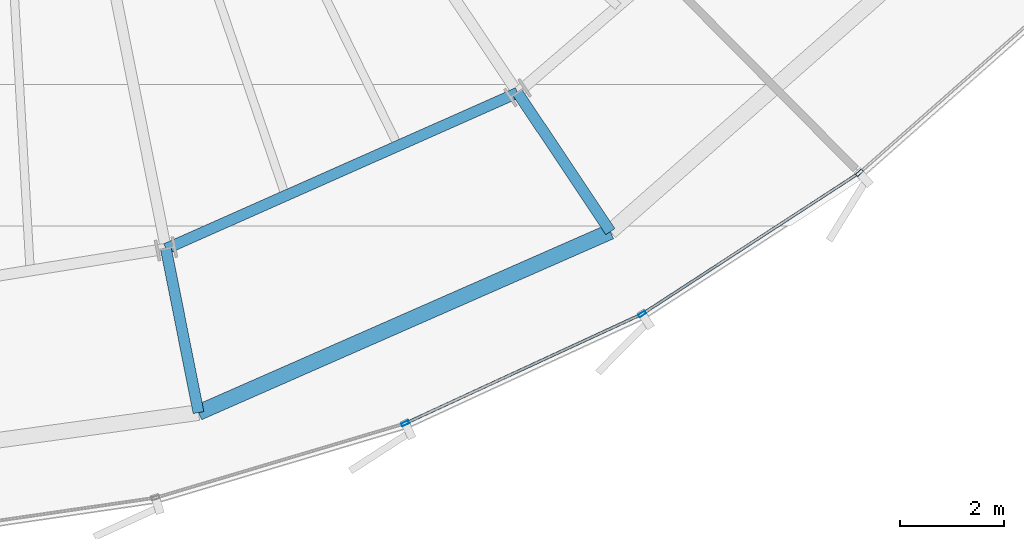
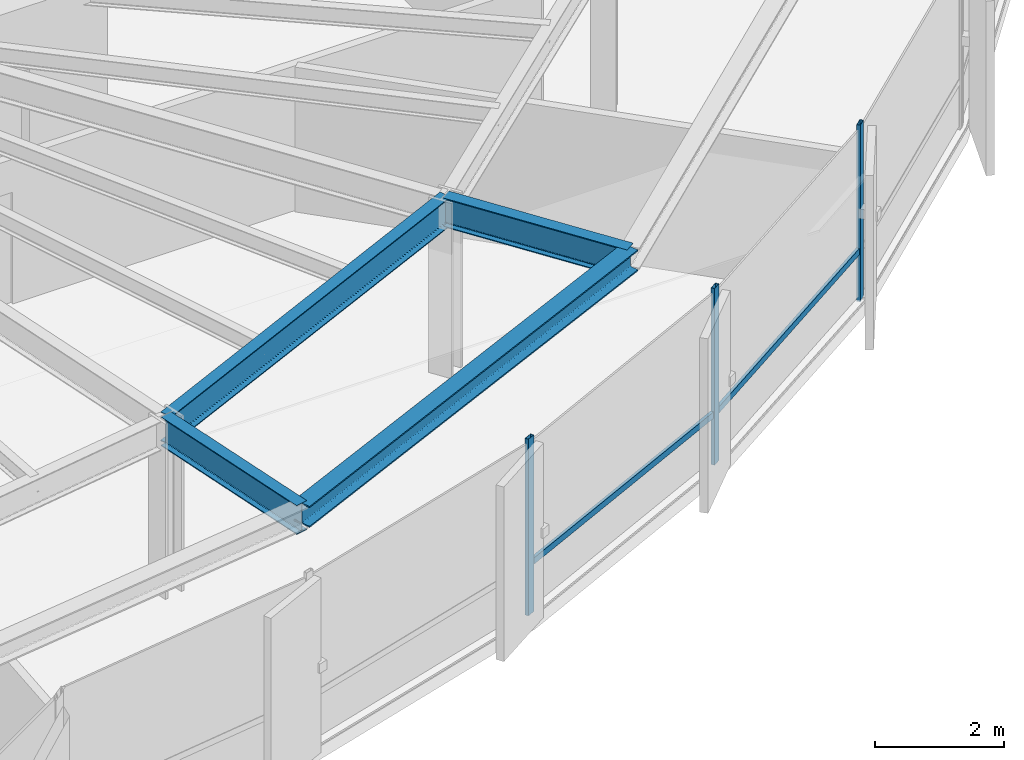
# One storey, part 12 of 33: 5 members, 4 beams, 1 element without a shape of its own.
"""IFC4 building model written with IfcOpenShell, lengths in metres."""

from ifc_helpers import new_model, si_unit, direction, frame, origin, origin_2d, place, context, subcontext, project, spatial, hollow_rectangle, i_section, extrude, source, transform, mapped, material, layer, layer_set, material_profile, profile_set, type_object, element, aggregate, save


model = new_model("IFC4")

# Units and contexts
model_context = context("Model", 3, precision=1e-05, world=origin(), true_north=direction((0.0, 1.0)))
body_context = subcontext(model_context, "Body", "Model", "MODEL_VIEW")
ifc_project = project(units=[si_unit("LENGTHUNIT", "METRE"), si_unit("AREAUNIT", "SQUARE_METRE"), si_unit("VOLUMEUNIT", "CUBIC_METRE"), si_unit("PLANEANGLEUNIT", "RADIAN"), si_unit("MASSUNIT", "GRAM", prefix="KILO"), si_unit("THERMODYNAMICTEMPERATUREUNIT", "KELVIN")], contexts=[model_context])

# Site, building, storey
site_placement = place(None, origin())
site = spatial("IfcSite", under=ifc_project, at=site_placement, CompositionType="ELEMENT")
building_placement = place(site_placement, origin())
building = spatial("IfcBuilding", under=site, at=building_placement, Name="Kethvar Cultural Tower", CompositionType="ELEMENT")
storey_placement = place(building_placement, frame((0.0, 0.0, 118.0)))
storey = spatial("IfcBuildingStorey", under=building, at=storey_placement, Name="L29", CompositionType="ELEMENT", Elevation=118.0)

# Beams
ifc_material_1 = material(Name="Steel S355J2", Category="steel")
ifc_material_profile_1 = material_profile(ifc_material_1, i_section(OverallWidth=0.2099609375, OverallDepth=0.550048828125, WebThickness=0.010986328125, FlangeThickness=0.01708984375, FilletRadius=0.02392578125, at=origin_2d()), Name="Steel S355J2 — IPE550")
ifc_profile_set_1 = profile_set([ifc_material_profile_1], Name="Steel S355J2 — IPE550")
beam_type_1 = type_object("IfcBeamType", Name="BM-IPE550", PredefinedType="BEAM", material=ifc_profile_set_1)
shared_shape_1 = source(origin(), body_context, "Body", "SweptSolid", [
    extrude(i_section(OverallWidth=0.2099609375, OverallDepth=0.550048828125, WebThickness=0.010986328125, FlangeThickness=0.01708984375, FilletRadius=0.02392578125, at=origin_2d()), origin(), (0.0, 0.0, 1.0), 3.199951171875),
])
beam_1_placement = place(storey_placement, frame((57.241943359375, 12.17236328125, 3.072998046875), z_axis=(0.555580212716, -0.831462943996, 0.0), x_axis=(0.831462943996, 0.555580212716, 0.0)))
element("IfcBeam", 1, at=beam_1_placement, inside=storey, type_object=beam_type_1, Name="L29 Perimeter Cantilever Beam RC-14", PredefinedType="BEAM", context=body_context, shape_type="MappedRepresentation", body=[
    mapped(shared_shape_1, transform((0.0, 0.0, 0.0), scale=1.0)),
])
shared_shape_2 = source(origin(), body_context, "Body", "SweptSolid", [
    extrude(i_section(OverallWidth=0.2099609375, OverallDepth=0.550048828125, WebThickness=0.010986328125, FlangeThickness=0.01708984375, FilletRadius=0.02392578125, at=origin_2d()), origin(), (0.0, 0.0, 1.0), 3.2001953125),
])
beam_2_placement = place(storey_placement, frame((50.50341796875, 9.182373046875, 3.072998046875), z_axis=(0.195074368086, -0.980788453702, 0.0), x_axis=(0.980788453702, 0.195074368086, 0.0)))
element("IfcBeam", 2, at=beam_2_placement, inside=storey, type_object=beam_type_1, Name="L29 Perimeter Cantilever Beam RC-13", PredefinedType="BEAM", context=body_context, shape_type="MappedRepresentation", body=[
    mapped(shared_shape_2, transform((0.0, 0.0, 0.0), scale=1.0)),
])
shared_shape_3 = source(origin(), body_context, "Body", "SweptSolid", [
    extrude(i_section(OverallWidth=0.2099609375, OverallDepth=0.550048828125, WebThickness=0.010986328125, FlangeThickness=0.01708984375, FilletRadius=0.02392578125, at=origin_2d()), origin(), (0.0, 0.0, 1.0), 7.3720703125),
])
beam_3_placement = place(storey_placement, frame((50.50341796875, 9.182373046875, 3.072998046875), z_axis=(0.914058560918, 0.405582232367, 0.0), x_axis=(-0.405582232367, 0.914058560918, 0.0)))
element("IfcBeam", 3, at=beam_3_placement, inside=storey, type_object=beam_type_1, Name="L29 Column Ring Tie Beam CR-13", PredefinedType="BEAM", context=body_context, shape_type="MappedRepresentation", body=[
    mapped(shared_shape_3, transform((0.0, 0.0, 0.0), scale=1.0)),
])
ifc_material_profile_2 = material_profile(ifc_material_1, i_section(OverallWidth=0.300048828125, OverallDepth=0.39990234375, WebThickness=0.013427734375, FlangeThickness=0.02392578125, FilletRadius=0.027099609375, at=origin_2d()), Name="Steel S355J2 — HEB400")
ifc_profile_set_2 = profile_set([ifc_material_profile_2], Name="Steel S355J2 — HEB400")
beam_type_2 = type_object("IfcBeamType", Name="BM-SP400", PredefinedType="SPANDREL", material=ifc_profile_set_2)
shared_shape_4 = source(origin(), body_context, "Body", "SweptSolid", [
    extrude(i_section(OverallWidth=0.300048828125, OverallDepth=0.39990234375, WebThickness=0.013427734375, FlangeThickness=0.02392578125, FilletRadius=0.027099609375, at=origin_2d()), origin(), (0.0, 0.0, 1.0), 8.620361328125),
])
beam_4_placement = place(storey_placement, frame((51.127685546875, 6.043701171875, 3.14794921875), z_axis=(0.915507442902, 0.402301034041, 0.0), x_axis=(-0.402301034041, 0.915507442902, 0.0)))
element("IfcBeam", 4, at=beam_4_placement, inside=storey, type_object=beam_type_2, Name="L29 Perimeter Spandrel Beam SP-13", PredefinedType="SPANDREL", context=body_context, shape_type="MappedRepresentation", body=[
    mapped(shared_shape_4, transform((0.0, 0.0, 0.0), scale=1.0)),
])

# Curtain wall, members
ifc_material_2 = material(Name="Aluminium 6063-T6", Category="aluminium")
ifc_layer = layer(ifc_material_2, 0.179931640625, Name="Aluminium 6063-T6", Category="aluminium")
ifc_layer_set = layer_set([ifc_layer], Name="Aluminium 6063-T6 (180 mm)")
curtain_wall_type = type_object("IfcCurtainWallType", Name="CW-SYS-03-Z2", PredefinedType="NOTDEFINED", material=ifc_layer_set)
curtain_wall_placement = place(storey_placement, origin())
curtain_wall = element("IfcCurtainWall", 5, at=curtain_wall_placement, inside=storey, type_object=curtain_wall_type, Name="L29 Curtain Wall Run 05", PredefinedType="NOTDEFINED")
ifc_material_profile_3 = material_profile(ifc_material_2, hollow_rectangle(XDim=0.06005859375, YDim=0.14990234375, WallThickness=0.0048828125, at=origin_2d()), Name="Aluminium 6063-T6 — RHS150x60x5")
ifc_profile_set_3 = profile_set([ifc_material_profile_3], Name="Aluminium 6063-T6 — RHS150x60x5")
member_type_1 = type_object("IfcMemberType", Name="CW-SYS-03-Z2-MUL", PredefinedType="MULLION", material=ifc_profile_set_3)
shared_shape_5 = source(origin(), body_context, "Body", "SweptSolid", [
    extrude(hollow_rectangle(XDim=0.06005859375, YDim=0.14990234375, WallThickness=0.0048828125, at=origin_2d()), origin(), (0.0, 0.0, 1.0), 3.35009765625),
])
member_1_placement = place(storey_placement, frame((55.090576171875, 5.836669921875, 0.0), z_axis=(0.0, 0.0, 1.0), x_axis=(-0.419420394779, 0.90779211962, 0.0)))
member_1 = element("IfcMember", 6, at=member_1_placement, type_object=member_type_1, Name="CW-L29-R05 Mullion 4", PredefinedType="MULLION", context=body_context, shape_type="MappedRepresentation", body=[
    mapped(shared_shape_5, transform((0.0, 0.0, 0.0), scale=1.0)),
])
member_2_placement = place(storey_placement, frame((59.62841796875, 7.93212890625, 0.0), z_axis=(0.0, 0.0, 1.0), x_axis=(-0.545121984223, 0.838356739292, 0.0)))
member_2 = element("IfcMember", 7, at=member_2_placement, type_object=member_type_1, Name="CW-L29-R05 Mullion 5", PredefinedType="MULLION", context=body_context, shape_type="MappedRepresentation", body=[
    mapped(shared_shape_5, transform((0.0, 0.0, 0.0), scale=1.0)),
])
member_3_placement = place(storey_placement, frame((63.792236328125, 10.637939453125, 0.0), z_axis=(0.0, 0.0, 1.0), x_axis=(-0.66183538044, 0.749649204093, 0.0)))
member_3 = element("IfcMember", 8, at=member_3_placement, type_object=member_type_1, Name="CW-L29-R05 Mullion 6", PredefinedType="MULLION", context=body_context, shape_type="MappedRepresentation", body=[
    mapped(shared_shape_5, transform((0.0, 0.0, 0.0), scale=1.0)),
])
ifc_material_profile_4 = material_profile(ifc_material_2, hollow_rectangle(XDim=0.054931640625, YDim=0.1201171875, WallThickness=0.00390625, at=origin_2d()), Name="Aluminium 6063-T6 — RHS120x55x4")
ifc_profile_set_4 = profile_set([ifc_material_profile_4], Name="Aluminium 6063-T6 — RHS120x55x4")
member_type_2 = type_object("IfcMemberType", Name="CW-SYS-03-Z2-TRN", PredefinedType="USERDEFINED", material=ifc_profile_set_4)
shared_shape_6 = source(origin(), body_context, "Body", "SweptSolid", [
    extrude(hollow_rectangle(XDim=0.054931640625, YDim=0.1201171875, WallThickness=0.00390625, at=origin_2d()), origin(), (0.0, 0.0, 1.0), 4.89599609375),
])
member_4_placement = place(storey_placement, frame((59.664794921875, 7.955810546875, 0.949951171875), z_axis=(0.838347902639, 0.545135574093, 0.0), x_axis=(-0.545135574093, 0.838347902639, 0.0)))
member_4 = element("IfcMember", 9, at=member_4_placement, type_object=member_type_2, Name="CW-L29-R05 Transom 5", ObjectType="TRANSOM", PredefinedType="USERDEFINED", context=body_context, shape_type="MappedRepresentation", body=[
    mapped(shared_shape_6, transform((0.0, 0.0, 0.0), scale=1.0)),
])
shared_shape_7 = source(origin(), body_context, "Body", "SweptSolid", [
    extrude(hollow_rectangle(XDim=0.054931640625, YDim=0.1201171875, WallThickness=0.00390625, at=origin_2d()), origin(), (0.0, 0.0, 1.0), 4.9287109375),
])
member_5_placement = place(storey_placement, frame((55.129638671875, 5.854736328125, 0.949951171875), z_axis=(0.907773721407, 0.419460213515, 0.0), x_axis=(-0.419460213515, 0.907773721407, 0.0)))
member_5 = element("IfcMember", 10, at=member_5_placement, type_object=member_type_2, Name="CW-L29-R05 Transom 4", ObjectType="TRANSOM", PredefinedType="USERDEFINED", context=body_context, shape_type="MappedRepresentation", body=[
    mapped(shared_shape_7, transform((0.0, 0.0, 0.0), scale=1.0)),
])
aggregate(curtain_wall, [member_1, member_2, member_3, member_5, member_4])

save(model, "model.ifc")
